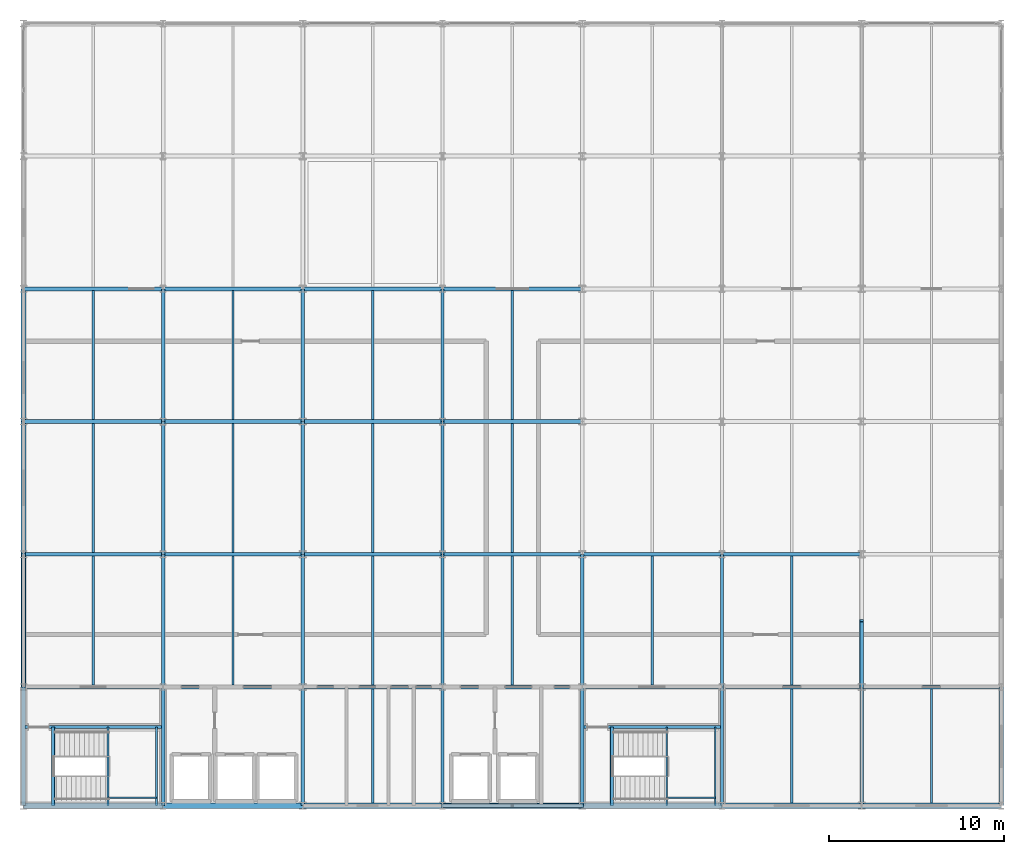
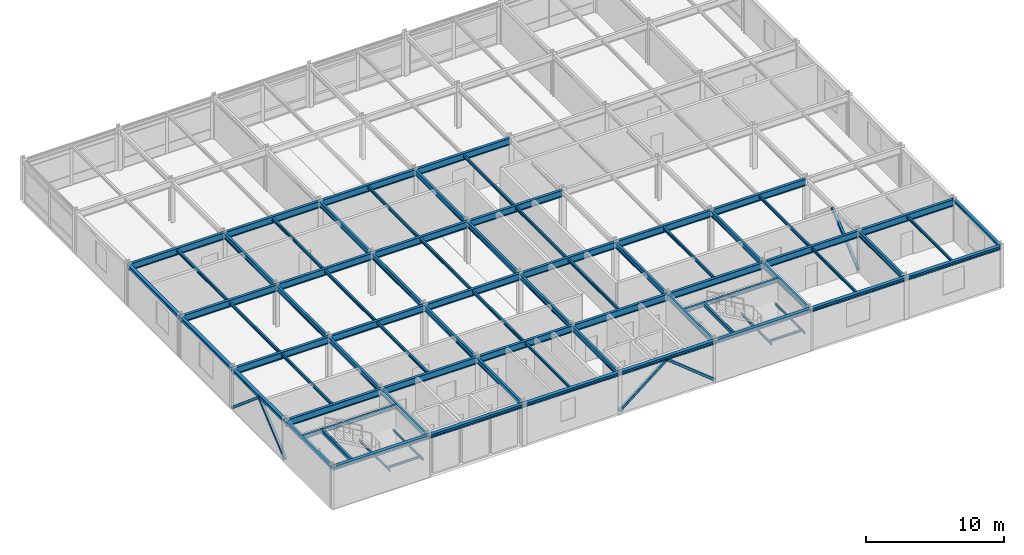
# One storey, part 4 of 14: 77 beams, 5 members.
"""IFC4 building model written with IfcOpenShell, lengths in metres."""

from ifc_helpers import new_model, si_unit, direction, frame, origin, origin_2d, place, context, subcontext, project, spatial, hollow_rectangle, i_section, extrude, material, material_profile, profile_set, type_object, element, save


model = new_model("IFC4")

# Units and contexts
model_context = context("Model", 3, precision=1e-05, world=origin(), true_north=direction((0.0, 1.0)))
body_context = subcontext(model_context, "Body", "Model", "MODEL_VIEW")
ifc_project = project(units=[si_unit("LENGTHUNIT", "METRE"), si_unit("AREAUNIT", "SQUARE_METRE"), si_unit("VOLUMEUNIT", "CUBIC_METRE"), si_unit("PLANEANGLEUNIT", "RADIAN"), si_unit("MASSUNIT", "GRAM", prefix="KILO")], contexts=[model_context])

# Site, building, storey
site_placement = place(None, origin())
site = spatial("IfcSite", under=ifc_project, at=site_placement, CompositionType="ELEMENT")
building_placement = place(site_placement, origin())
building = spatial("IfcBuilding", under=site, at=building_placement, Name="Shalkamar Park Central Library", CompositionType="ELEMENT")
storey_placement = place(building_placement, frame((0.0, 0.0, 28.199951171875)))
storey = spatial("IfcBuildingStorey", under=building, at=storey_placement, Name="L07", CompositionType="ELEMENT", Elevation=28.199951171875)

# Beams
ifc_material = material(Name="Steel S355", Category="steel")
ifc_material_profile_1 = material_profile(ifc_material, i_section(OverallWidth=0.10009765625, OverallDepth=0.199951171875, WebThickness=0.005615234375, FlangeThickness=0.008544921875, FilletRadius=0.011962890625, at=origin_2d()), Name="IPE 200")
ifc_profile_set_1 = profile_set([ifc_material_profile_1], Name="Steel S355")
beam_type_1 = type_object("IfcBeamType", Name="Composite Floor Joist IPE200", PredefinedType="JOIST", material=ifc_profile_set_1)
for number, where, z_axis, x_axis, name in (
    (1, (169.840087890625, 248.39990234375, 1.570068359375), (0.0, 1.0, 0.0), (-1.0, 0.0, 0.0), "Stair Half-Landing Beam ST-T1-L07-1"),
    (2, (172.6201171875, 248.39990234375, 1.570068359375), (0.0, 1.0, 0.0), (-1.0, 0.0, 0.0), "Stair Half-Landing Beam ST-T1-L07-2"),
):
    element("IfcBeam", number, at=place(storey_placement, frame(where, z_axis=z_axis, x_axis=x_axis)), inside=storey, type_object=beam_type_1, Name=name, PredefinedType="JOIST", context=body_context, shape_type="SweptSolid", body=[
        extrude(i_section(OverallWidth=0.10009765625, OverallDepth=0.199951171875, WebThickness=0.005615234375, FlangeThickness=0.008544921875, FilletRadius=0.011962890625, at=origin_2d()), origin(), (0.0, 0.0, 1.0), 4.5),
    ])
beam_1_placement = place(storey_placement, frame((169.840087890625, 248.85009765625, 1.570068359375), z_axis=(1.0, 0.0, 0.0), x_axis=(0.0, 1.0, 0.0)))
element("IfcBeam", 3, at=beam_1_placement, inside=storey, type_object=beam_type_1, Name="Stair Half-Landing Cross Tie ST-T1-L07-3", PredefinedType="JOIST", context=body_context, shape_type="SweptSolid", body=[
    extrude(i_section(OverallWidth=0.10009765625, OverallDepth=0.199951171875, WebThickness=0.005615234375, FlangeThickness=0.008544921875, FilletRadius=0.011962890625, at=origin_2d()), origin(), (0.0, 0.0, 1.0), 2.780029296875),
])
for number, where, z_axis, x_axis, name in (
    (4, (201.840087890625, 248.39990234375, 1.570068359375), (0.0, 1.0, 0.0), (-1.0, 0.0, 0.0), "Stair Half-Landing Beam ST-T2-L07-1"),
    (5, (204.6201171875, 248.39990234375, 1.570068359375), (0.0, 1.0, 0.0), (-1.0, 0.0, 0.0), "Stair Half-Landing Beam ST-T2-L07-2"),
):
    element("IfcBeam", number, at=place(storey_placement, frame(where, z_axis=z_axis, x_axis=x_axis)), inside=storey, type_object=beam_type_1, Name=name, PredefinedType="JOIST", context=body_context, shape_type="SweptSolid", body=[
        extrude(i_section(OverallWidth=0.10009765625, OverallDepth=0.199951171875, WebThickness=0.005615234375, FlangeThickness=0.008544921875, FilletRadius=0.011962890625, at=origin_2d()), origin(), (0.0, 0.0, 1.0), 4.5),
    ])
beam_2_placement = place(storey_placement, frame((201.840087890625, 248.85009765625, 1.570068359375), z_axis=(1.0, 0.0, 0.0), x_axis=(0.0, 1.0, 0.0)))
element("IfcBeam", 6, at=beam_2_placement, inside=storey, type_object=beam_type_1, Name="Stair Half-Landing Cross Tie ST-T2-L07-3", PredefinedType="JOIST", context=body_context, shape_type="SweptSolid", body=[
    extrude(i_section(OverallWidth=0.10009765625, OverallDepth=0.199951171875, WebThickness=0.005615234375, FlangeThickness=0.008544921875, FilletRadius=0.011962890625, at=origin_2d()), origin(), (0.0, 0.0, 1.0), 2.780029296875),
])
ifc_material_profile_2 = material_profile(ifc_material, i_section(OverallWidth=0.1201171875, OverallDepth=0.239990234375, WebThickness=0.006103515625, FlangeThickness=0.009765625, FilletRadius=0.014892578125, at=origin_2d()), Name="IPE 240")
ifc_profile_set_2 = profile_set([ifc_material_profile_2], Name="Steel S355")
beam_type_2 = type_object("IfcBeamType", Name="Composite Floor Joist IPE240", PredefinedType="JOIST", material=ifc_profile_set_2)
for number, where, z_axis, x_axis, name in (
    (7, (185.0, 248.548095703125, 3.5400390625), (0.0, 1.0, 0.0), (-1.0, 0.0, 0.0), "Composite Joist 09/B-1 (L07)"),
    (8, (209.0, 248.548095703125, 3.5400390625), (0.0, 1.0, 0.0), (-1.0, 0.0, 0.0), "Composite Joist 12/B-1 (L07)"),
    (9, (217.0, 248.548095703125, 3.5400390625), (0.0, 1.0, 0.0), (-1.0, 0.0, 0.0), "Composite Joist 13/B-1 (L07)"),
):
    element("IfcBeam", number, at=place(storey_placement, frame(where, z_axis=z_axis, x_axis=x_axis)), inside=storey, type_object=beam_type_2, Name=name, PredefinedType="JOIST", context=body_context, shape_type="SweptSolid", body=[
        extrude(i_section(OverallWidth=0.1201171875, OverallDepth=0.239990234375, WebThickness=0.006103515625, FlangeThickness=0.009765625, FilletRadius=0.014892578125, at=origin_2d()), origin(), (0.0, 0.0, 1.0), 6.5439453125),
    ])
ifc_material_profile_3 = material_profile(ifc_material, i_section(OverallWidth=0.135009765625, OverallDepth=0.27001953125, WebThickness=0.006591796875, FlangeThickness=0.01025390625, FilletRadius=0.014892578125, at=origin_2d()), Name="IPE 270")
ifc_profile_set_3 = profile_set([ifc_material_profile_3], Name="Steel S355")
beam_type_3 = type_object("IfcBeamType", Name="Composite Floor Joist IPE270", PredefinedType="JOIST", material=ifc_profile_set_3)
beam_3_placement = place(storey_placement, frame((169.0, 255.30810546875, 3.525146484375), z_axis=(0.0, 1.0, 0.0), x_axis=(-1.0, 0.0, 0.0)))
element("IfcBeam", 10, at=beam_3_placement, inside=storey, type_object=beam_type_3, Name="Composite Joist 07/C-1 (L07)", PredefinedType="JOIST", context=body_context, shape_type="SweptSolid", body=[
    extrude(i_section(OverallWidth=0.135009765625, OverallDepth=0.27001953125, WebThickness=0.006591796875, FlangeThickness=0.01025390625, FilletRadius=0.014892578125, at=origin_2d()), origin(), (0.0, 0.0, 1.0), 7.3837890625),
])
for number, where, z_axis, x_axis, name in (
    (11, (169.0, 262.907958984375, 3.525146484375), (0.0, 1.0, 0.0), (-1.0, 0.0, 0.0), "Composite Joist 07/D-1 (L07)"),
    (12, (169.0, 270.508056640625, 3.525146484375), (0.0, 1.0, 0.0), (-1.0, 0.0, 0.0), "Composite Joist 07/E-1 (L07)"),
):
    element("IfcBeam", number, at=place(storey_placement, frame(where, z_axis=z_axis, x_axis=x_axis)), inside=storey, type_object=beam_type_3, Name=name, PredefinedType="JOIST", context=body_context, shape_type="SweptSolid", body=[
        extrude(i_section(OverallWidth=0.135009765625, OverallDepth=0.27001953125, WebThickness=0.006591796875, FlangeThickness=0.01025390625, FilletRadius=0.014892578125, at=origin_2d()), origin(), (0.0, 0.0, 1.0), 7.384033203125),
    ])
beam_4_placement = place(storey_placement, frame((177.0, 255.30810546875, 3.525146484375), z_axis=(0.0, 1.0, 0.0), x_axis=(-1.0, 0.0, 0.0)))
element("IfcBeam", 13, at=beam_4_placement, inside=storey, type_object=beam_type_3, Name="Composite Joist 08/C-1 (L07)", PredefinedType="JOIST", context=body_context, shape_type="SweptSolid", body=[
    extrude(i_section(OverallWidth=0.135009765625, OverallDepth=0.27001953125, WebThickness=0.006591796875, FlangeThickness=0.01025390625, FilletRadius=0.014892578125, at=origin_2d()), origin(), (0.0, 0.0, 1.0), 7.3837890625),
])
for number, where, z_axis, x_axis, name in (
    (14, (177.0, 262.907958984375, 3.525146484375), (0.0, 1.0, 0.0), (-1.0, 0.0, 0.0), "Composite Joist 08/D-1 (L07)"),
    (15, (177.0, 270.508056640625, 3.525146484375), (0.0, 1.0, 0.0), (-1.0, 0.0, 0.0), "Composite Joist 08/E-1 (L07)"),
):
    element("IfcBeam", number, at=place(storey_placement, frame(where, z_axis=z_axis, x_axis=x_axis)), inside=storey, type_object=beam_type_3, Name=name, PredefinedType="JOIST", context=body_context, shape_type="SweptSolid", body=[
        extrude(i_section(OverallWidth=0.135009765625, OverallDepth=0.27001953125, WebThickness=0.006591796875, FlangeThickness=0.01025390625, FilletRadius=0.014892578125, at=origin_2d()), origin(), (0.0, 0.0, 1.0), 7.384033203125),
    ])
beam_5_placement = place(storey_placement, frame((185.0, 255.30810546875, 3.525146484375), z_axis=(0.0, 1.0, 0.0), x_axis=(-1.0, 0.0, 0.0)))
element("IfcBeam", 16, at=beam_5_placement, inside=storey, type_object=beam_type_3, Name="Composite Joist 09/C-1 (L07)", PredefinedType="JOIST", context=body_context, shape_type="SweptSolid", body=[
    extrude(i_section(OverallWidth=0.135009765625, OverallDepth=0.27001953125, WebThickness=0.006591796875, FlangeThickness=0.01025390625, FilletRadius=0.014892578125, at=origin_2d()), origin(), (0.0, 0.0, 1.0), 7.3837890625),
])
for number, where, z_axis, x_axis, name in (
    (17, (185.0, 262.907958984375, 3.525146484375), (0.0, 1.0, 0.0), (-1.0, 0.0, 0.0), "Composite Joist 09/D-1 (L07)"),
    (18, (185.0, 270.508056640625, 3.525146484375), (0.0, 1.0, 0.0), (-1.0, 0.0, 0.0), "Composite Joist 09/E-1 (L07)"),
):
    element("IfcBeam", number, at=place(storey_placement, frame(where, z_axis=z_axis, x_axis=x_axis)), inside=storey, type_object=beam_type_3, Name=name, PredefinedType="JOIST", context=body_context, shape_type="SweptSolid", body=[
        extrude(i_section(OverallWidth=0.135009765625, OverallDepth=0.27001953125, WebThickness=0.006591796875, FlangeThickness=0.01025390625, FilletRadius=0.014892578125, at=origin_2d()), origin(), (0.0, 0.0, 1.0), 7.384033203125),
    ])
beam_6_placement = place(storey_placement, frame((193.0, 255.30810546875, 3.525146484375), z_axis=(0.0, 1.0, 0.0), x_axis=(-1.0, 0.0, 0.0)))
element("IfcBeam", 19, at=beam_6_placement, inside=storey, type_object=beam_type_3, Name="Composite Joist 10/C-1 (L07)", PredefinedType="JOIST", context=body_context, shape_type="SweptSolid", body=[
    extrude(i_section(OverallWidth=0.135009765625, OverallDepth=0.27001953125, WebThickness=0.006591796875, FlangeThickness=0.01025390625, FilletRadius=0.014892578125, at=origin_2d()), origin(), (0.0, 0.0, 1.0), 7.3837890625),
])
for number, where, z_axis, x_axis, name in (
    (20, (193.0, 262.907958984375, 3.525146484375), (0.0, 1.0, 0.0), (-1.0, 0.0, 0.0), "Composite Joist 10/D-1 (L07)"),
    (21, (193.0, 270.508056640625, 3.525146484375), (0.0, 1.0, 0.0), (-1.0, 0.0, 0.0), "Composite Joist 10/E-1 (L07)"),
):
    element("IfcBeam", number, at=place(storey_placement, frame(where, z_axis=z_axis, x_axis=x_axis)), inside=storey, type_object=beam_type_3, Name=name, PredefinedType="JOIST", context=body_context, shape_type="SweptSolid", body=[
        extrude(i_section(OverallWidth=0.135009765625, OverallDepth=0.27001953125, WebThickness=0.006591796875, FlangeThickness=0.01025390625, FilletRadius=0.014892578125, at=origin_2d()), origin(), (0.0, 0.0, 1.0), 7.384033203125),
    ])
for number, where, z_axis, x_axis, name in (
    (22, (201.0, 255.30810546875, 3.525146484375), (0.0, 1.0, 0.0), (-1.0, 0.0, 0.0), "Composite Joist 11/C-1 (L07)"),
    (23, (209.0, 255.30810546875, 3.525146484375), (0.0, 1.0, 0.0), (-1.0, 0.0, 0.0), "Composite Joist 12/C-1 (L07)"),
):
    element("IfcBeam", number, at=place(storey_placement, frame(where, z_axis=z_axis, x_axis=x_axis)), inside=storey, type_object=beam_type_3, Name=name, PredefinedType="JOIST", context=body_context, shape_type="SweptSolid", body=[
        extrude(i_section(OverallWidth=0.135009765625, OverallDepth=0.27001953125, WebThickness=0.006591796875, FlangeThickness=0.01025390625, FilletRadius=0.014892578125, at=origin_2d()), origin(), (0.0, 0.0, 1.0), 7.3837890625),
    ])

# Members
ifc_material_profile_4 = material_profile(ifc_material, hollow_rectangle(XDim=0.219970703125, YDim=0.219970703125, WallThickness=0.010009765625, InnerFilletRadius=0.010009765625, OuterFilletRadius=0.014892578125, at=origin_2d()), Name="SHS 220x220x10")
ifc_profile_set_4 = profile_set([ifc_material_profile_4], Name="Steel S355")
member_type = type_object("IfcMemberType", Name="Diagonal Brace SHS220", PredefinedType="BRACE", material=ifc_profile_set_4)
for number, where, z_axis, x_axis, name in (
    (24, (165.0, 255.199951171875, 0.150146484375), (0.0, 0.763927756814, 0.645301776202), (-1.0, 0.0, 0.0), "Chevron Brace TW-W Leg A (L07)"),
    (25, (165.0, 262.800048828125, 0.150146484375), (0.0, -0.763927756814, 0.645301776202), (1.0, 0.0, 0.0), "Chevron Brace TW-W Leg B (L07)"),
    (26, (213.0, 255.199951171875, 0.150146484375), (0.0, 0.763927756814, 0.645301776202), (-1.0, 0.0, 0.0), "Chevron Brace TW-E Leg A (L07)"),
):
    element("IfcMember", number, at=place(storey_placement, frame(where, z_axis=z_axis, x_axis=x_axis)), inside=storey, type_object=member_type, Name=name, PredefinedType="BRACE", context=body_context, shape_type="SweptSolid", body=[
        extrude(hollow_rectangle(XDim=0.219970703125, YDim=0.219970703125, WallThickness=0.010009765625, InnerFilletRadius=0.010009765625, OuterFilletRadius=0.014892578125, at=origin_2d()), origin(), (0.0, 0.0, 1.0), 4.974365234375),
    ])
for number, where, z_axis, x_axis, name in (
    (27, (189.0, 248.39990234375, 0.150146484375), (0.77992050418, 0.0, 0.625878588194), (0.0, 1.0, 0.0), "Chevron Brace TW-S Leg A (L07)"),
    (28, (197.0, 248.39990234375, 0.150146484375), (-0.77992050418, 0.0, 0.625878588194), (0.0, -1.0, 0.0), "Chevron Brace TW-S Leg B (L07)"),
):
    element("IfcMember", number, at=place(storey_placement, frame(where, z_axis=z_axis, x_axis=x_axis)), inside=storey, type_object=member_type, Name=name, PredefinedType="BRACE", context=body_context, shape_type="SweptSolid", body=[
        extrude(hollow_rectangle(XDim=0.219970703125, YDim=0.219970703125, WallThickness=0.010009765625, InnerFilletRadius=0.010009765625, OuterFilletRadius=0.014892578125, at=origin_2d()), origin(), (0.0, 0.0, 1.0), 5.128662109375),
    ])

# Beams
ifc_material_profile_5 = material_profile(ifc_material, i_section(OverallWidth=0.239990234375, OverallDepth=0.22998046875, WebThickness=0.007568359375, FlangeThickness=0.011962890625, FilletRadius=0.02099609375, at=origin_2d()), Name="HEA 240")
ifc_profile_set_5 = profile_set([ifc_material_profile_5], Name="Steel S355")
beam_type_4 = type_object("IfcBeamType", Name="Perimeter Spandrel Beam HEA240", PredefinedType="SPANDREL", material=ifc_profile_set_5)
for number, where, z_axis, x_axis, name in (
    (29, (165.0, 248.39990234375, 3.545166015625), (0.0, 1.0, 0.0), (-1.0, 0.0, 0.0), "Beam 07:B-C (L07)"),
    (30, (221.0, 248.39990234375, 3.545166015625), (0.0, 1.0, 0.0), (-1.0, 0.0, 0.0), "Beam 14:B-C (L07)"),
):
    element("IfcBeam", number, at=place(storey_placement, frame(where, z_axis=z_axis, x_axis=x_axis)), inside=storey, type_object=beam_type_4, Name=name, PredefinedType="SPANDREL", context=body_context, shape_type="SweptSolid", body=[
        extrude(i_section(OverallWidth=0.239990234375, OverallDepth=0.22998046875, WebThickness=0.007568359375, FlangeThickness=0.011962890625, FilletRadius=0.02099609375, at=origin_2d()), origin(), (0.0, 0.0, 1.0), 6.800048828125),
    ])
ifc_material_profile_6 = material_profile(ifc_material, i_section(OverallWidth=0.280029296875, OverallDepth=0.27001953125, WebThickness=0.008056640625, FlangeThickness=0.012939453125, FilletRadius=0.02392578125, at=origin_2d()), Name="HEA 280")
ifc_profile_set_6 = profile_set([ifc_material_profile_6], Name="Steel S355")
beam_type_5 = type_object("IfcBeamType", Name="Perimeter Spandrel Beam HEA280", PredefinedType="SPANDREL", material=ifc_profile_set_6)
beam_7_placement = place(storey_placement, frame((165.0, 255.199951171875, 3.525146484375), z_axis=(0.0, 1.0, 0.0), x_axis=(-1.0, 0.0, 0.0)))
element("IfcBeam", 31, at=beam_7_placement, inside=storey, type_object=beam_type_5, Name="Beam 07:C-D (L07)", PredefinedType="SPANDREL", context=body_context, shape_type="SweptSolid", body=[
    extrude(i_section(OverallWidth=0.280029296875, OverallDepth=0.27001953125, WebThickness=0.008056640625, FlangeThickness=0.012939453125, FilletRadius=0.02392578125, at=origin_2d()), origin(), (0.0, 0.0, 1.0), 7.60009765625),
])
beam_8_placement = place(storey_placement, frame((165.0, 262.800048828125, 3.525146484375), z_axis=(0.0, 1.0, 0.0), x_axis=(-1.0, 0.0, 0.0)))
element("IfcBeam", 32, at=beam_8_placement, inside=storey, type_object=beam_type_5, Name="Beam 07:D-E (L07)", PredefinedType="SPANDREL", context=body_context, shape_type="SweptSolid", body=[
    extrude(i_section(OverallWidth=0.280029296875, OverallDepth=0.27001953125, WebThickness=0.008056640625, FlangeThickness=0.012939453125, FilletRadius=0.02392578125, at=origin_2d()), origin(), (0.0, 0.0, 1.0), 7.599853515625),
])
beam_9_placement = place(storey_placement, frame((165.0, 270.39990234375, 3.525146484375), z_axis=(0.0, 1.0, 0.0), x_axis=(-1.0, 0.0, 0.0)))
element("IfcBeam", 33, at=beam_9_placement, inside=storey, type_object=beam_type_5, Name="Beam 07:E-F (L07)", PredefinedType="SPANDREL", context=body_context, shape_type="SweptSolid", body=[
    extrude(i_section(OverallWidth=0.280029296875, OverallDepth=0.27001953125, WebThickness=0.008056640625, FlangeThickness=0.012939453125, FilletRadius=0.02392578125, at=origin_2d()), origin(), (0.0, 0.0, 1.0), 7.60009765625),
])
ifc_material_profile_7 = material_profile(ifc_material, i_section(OverallWidth=0.300048828125, OverallDepth=0.31005859375, WebThickness=0.009033203125, FlangeThickness=0.015380859375, FilletRadius=0.027099609375, at=origin_2d()), Name="HEA 320")
ifc_profile_set_7 = profile_set([ifc_material_profile_7], Name="Steel S355")
beam_type_6 = type_object("IfcBeamType", Name="Perimeter Spandrel Beam HEA320", PredefinedType="SPANDREL", material=ifc_profile_set_7)
for number, where, z_axis, x_axis, name in (
    (34, (165.0, 248.39990234375, 3.505126953125), (1.0, 0.0, 0.0), (0.0, 1.0, 0.0), "Beam B:07-08 (L07)"),
    (35, (173.0, 248.39990234375, 3.505126953125), (1.0, 0.0, 0.0), (0.0, 1.0, 0.0), "Beam B:08-09 (L07)"),
    (36, (181.0, 248.39990234375, 3.505126953125), (1.0, 0.0, 0.0), (0.0, 1.0, 0.0), "Beam B:09-10 (L07)"),
    (37, (189.0, 248.39990234375, 3.505126953125), (1.0, 0.0, 0.0), (0.0, 1.0, 0.0), "Beam B:10-11 (L07)"),
    (38, (197.0, 248.39990234375, 3.505126953125), (1.0, 0.0, 0.0), (0.0, 1.0, 0.0), "Beam B:11-12 (L07)"),
    (39, (205.0, 248.39990234375, 3.505126953125), (1.0, 0.0, 0.0), (0.0, 1.0, 0.0), "Beam B:12-13 (L07)"),
    (40, (213.0, 248.39990234375, 3.505126953125), (1.0, 0.0, 0.0), (0.0, 1.0, 0.0), "Beam B:13-14 (L07)"),
):
    element("IfcBeam", number, at=place(storey_placement, frame(where, z_axis=z_axis, x_axis=x_axis)), inside=storey, type_object=beam_type_6, Name=name, PredefinedType="SPANDREL", context=body_context, shape_type="SweptSolid", body=[
        extrude(i_section(OverallWidth=0.300048828125, OverallDepth=0.31005859375, WebThickness=0.009033203125, FlangeThickness=0.015380859375, FilletRadius=0.027099609375, at=origin_2d()), origin(), (0.0, 0.0, 1.0), 8.0),
    ])
ifc_material_profile_8 = material_profile(ifc_material, i_section(OverallWidth=0.169921875, OverallDepth=0.360107421875, WebThickness=0.008056640625, FlangeThickness=0.0126953125, FilletRadius=0.01806640625, at=origin_2d()), Name="IPE 360")
ifc_profile_set_8 = profile_set([ifc_material_profile_8], Name="Steel S355")
beam_type_7 = type_object("IfcBeamType", Name="Primary Girder IPE360", PredefinedType="BEAM", material=ifc_profile_set_8)
for number, where, z_axis, x_axis, name in (
    (41, (165.087890625, 252.89990234375, 3.47998046875), (1.0, 0.0, 0.0), (0.0, 1.0, 0.0), "CORE-T1 Stairwell Divider Beam (L07)"),
    (42, (197.087890625, 252.89990234375, 3.47998046875), (1.0, 0.0, 0.0), (0.0, 1.0, 0.0), "CORE-T2 Stairwell Divider Beam (L07)"),
):
    element("IfcBeam", number, at=place(storey_placement, frame(where, z_axis=z_axis, x_axis=x_axis)), inside=storey, type_object=beam_type_7, Name=name, PredefinedType="BEAM", context=body_context, shape_type="SweptSolid", body=[
        extrude(i_section(OverallWidth=0.169921875, OverallDepth=0.360107421875, WebThickness=0.008056640625, FlangeThickness=0.0126953125, FilletRadius=0.01806640625, at=origin_2d()), origin(), (0.0, 0.0, 1.0), 7.82421875),
    ])
ifc_material_profile_9 = material_profile(ifc_material, i_section(OverallWidth=0.18994140625, OverallDepth=0.449951171875, WebThickness=0.009521484375, FlangeThickness=0.0146484375, FilletRadius=0.02099609375, at=origin_2d()), Name="IPE 450")
ifc_profile_set_9 = profile_set([ifc_material_profile_9], Name="Steel S355")
beam_type_8 = type_object("IfcBeamType", Name="Primary Girder IPE450", PredefinedType="BEAM", material=ifc_profile_set_9)
beam_10_placement = place(storey_placement, frame((173.0, 248.39990234375, 3.43505859375), z_axis=(0.0, 1.0, 0.0), x_axis=(-1.0, 0.0, 0.0)))
element("IfcBeam", 43, at=beam_10_placement, inside=storey, type_object=beam_type_8, Name="Beam 08:B-C (L07)", PredefinedType="BEAM", context=body_context, shape_type="SweptSolid", body=[
    extrude(i_section(OverallWidth=0.18994140625, OverallDepth=0.449951171875, WebThickness=0.009521484375, FlangeThickness=0.0146484375, FilletRadius=0.02099609375, at=origin_2d()), origin(), (0.0, 0.0, 1.0), 6.800048828125),
])
beam_11_placement = place(storey_placement, frame((173.0, 255.199951171875, 3.43505859375), z_axis=(0.0, 1.0, 0.0), x_axis=(-1.0, 0.0, 0.0)))
element("IfcBeam", 44, at=beam_11_placement, inside=storey, type_object=beam_type_8, Name="Beam 08:C-D (L07)", PredefinedType="BEAM", context=body_context, shape_type="SweptSolid", body=[
    extrude(i_section(OverallWidth=0.18994140625, OverallDepth=0.449951171875, WebThickness=0.009521484375, FlangeThickness=0.0146484375, FilletRadius=0.02099609375, at=origin_2d()), origin(), (0.0, 0.0, 1.0), 7.60009765625),
])
beam_12_placement = place(storey_placement, frame((173.0, 262.800048828125, 3.43505859375), z_axis=(0.0, 1.0, 0.0), x_axis=(-1.0, 0.0, 0.0)))
element("IfcBeam", 45, at=beam_12_placement, inside=storey, type_object=beam_type_8, Name="Beam 08:D-E (L07)", PredefinedType="BEAM", context=body_context, shape_type="SweptSolid", body=[
    extrude(i_section(OverallWidth=0.18994140625, OverallDepth=0.449951171875, WebThickness=0.009521484375, FlangeThickness=0.0146484375, FilletRadius=0.02099609375, at=origin_2d()), origin(), (0.0, 0.0, 1.0), 7.599853515625),
])
beam_13_placement = place(storey_placement, frame((173.0, 270.39990234375, 3.43505859375), z_axis=(0.0, 1.0, 0.0), x_axis=(-1.0, 0.0, 0.0)))
element("IfcBeam", 46, at=beam_13_placement, inside=storey, type_object=beam_type_8, Name="Beam 08:E-F (L07)", PredefinedType="BEAM", context=body_context, shape_type="SweptSolid", body=[
    extrude(i_section(OverallWidth=0.18994140625, OverallDepth=0.449951171875, WebThickness=0.009521484375, FlangeThickness=0.0146484375, FilletRadius=0.02099609375, at=origin_2d()), origin(), (0.0, 0.0, 1.0), 7.60009765625),
])
beam_14_placement = place(storey_placement, frame((181.0, 248.39990234375, 3.43505859375), z_axis=(0.0, 1.0, 0.0), x_axis=(-1.0, 0.0, 0.0)))
element("IfcBeam", 47, at=beam_14_placement, inside=storey, type_object=beam_type_8, Name="Beam 09:B-C (L07)", PredefinedType="BEAM", context=body_context, shape_type="SweptSolid", body=[
    extrude(i_section(OverallWidth=0.18994140625, OverallDepth=0.449951171875, WebThickness=0.009521484375, FlangeThickness=0.0146484375, FilletRadius=0.02099609375, at=origin_2d()), origin(), (0.0, 0.0, 1.0), 6.800048828125),
])
beam_15_placement = place(storey_placement, frame((181.0, 255.199951171875, 3.43505859375), z_axis=(0.0, 1.0, 0.0), x_axis=(-1.0, 0.0, 0.0)))
element("IfcBeam", 48, at=beam_15_placement, inside=storey, type_object=beam_type_8, Name="Beam 09:C-D (L07)", PredefinedType="BEAM", context=body_context, shape_type="SweptSolid", body=[
    extrude(i_section(OverallWidth=0.18994140625, OverallDepth=0.449951171875, WebThickness=0.009521484375, FlangeThickness=0.0146484375, FilletRadius=0.02099609375, at=origin_2d()), origin(), (0.0, 0.0, 1.0), 7.60009765625),
])
beam_16_placement = place(storey_placement, frame((181.0, 262.800048828125, 3.43505859375), z_axis=(0.0, 1.0, 0.0), x_axis=(-1.0, 0.0, 0.0)))
element("IfcBeam", 49, at=beam_16_placement, inside=storey, type_object=beam_type_8, Name="Beam 09:D-E (L07)", PredefinedType="BEAM", context=body_context, shape_type="SweptSolid", body=[
    extrude(i_section(OverallWidth=0.18994140625, OverallDepth=0.449951171875, WebThickness=0.009521484375, FlangeThickness=0.0146484375, FilletRadius=0.02099609375, at=origin_2d()), origin(), (0.0, 0.0, 1.0), 7.599853515625),
])
beam_17_placement = place(storey_placement, frame((181.0, 270.39990234375, 3.43505859375), z_axis=(0.0, 1.0, 0.0), x_axis=(-1.0, 0.0, 0.0)))
element("IfcBeam", 50, at=beam_17_placement, inside=storey, type_object=beam_type_8, Name="Beam 09:E-F (L07)", PredefinedType="BEAM", context=body_context, shape_type="SweptSolid", body=[
    extrude(i_section(OverallWidth=0.18994140625, OverallDepth=0.449951171875, WebThickness=0.009521484375, FlangeThickness=0.0146484375, FilletRadius=0.02099609375, at=origin_2d()), origin(), (0.0, 0.0, 1.0), 7.60009765625),
])
beam_18_placement = place(storey_placement, frame((189.0, 248.39990234375, 3.43505859375), z_axis=(0.0, 1.0, 0.0), x_axis=(-1.0, 0.0, 0.0)))
element("IfcBeam", 51, at=beam_18_placement, inside=storey, type_object=beam_type_8, Name="Beam 10:B-C (L07)", PredefinedType="BEAM", context=body_context, shape_type="SweptSolid", body=[
    extrude(i_section(OverallWidth=0.18994140625, OverallDepth=0.449951171875, WebThickness=0.009521484375, FlangeThickness=0.0146484375, FilletRadius=0.02099609375, at=origin_2d()), origin(), (0.0, 0.0, 1.0), 6.800048828125),
])
beam_19_placement = place(storey_placement, frame((189.0, 255.199951171875, 3.43505859375), z_axis=(0.0, 1.0, 0.0), x_axis=(-1.0, 0.0, 0.0)))
element("IfcBeam", 52, at=beam_19_placement, inside=storey, type_object=beam_type_8, Name="Beam 10:C-D (L07)", PredefinedType="BEAM", context=body_context, shape_type="SweptSolid", body=[
    extrude(i_section(OverallWidth=0.18994140625, OverallDepth=0.449951171875, WebThickness=0.009521484375, FlangeThickness=0.0146484375, FilletRadius=0.02099609375, at=origin_2d()), origin(), (0.0, 0.0, 1.0), 7.60009765625),
])
beam_20_placement = place(storey_placement, frame((189.0, 262.800048828125, 3.43505859375), z_axis=(0.0, 1.0, 0.0), x_axis=(-1.0, 0.0, 0.0)))
element("IfcBeam", 53, at=beam_20_placement, inside=storey, type_object=beam_type_8, Name="Beam 10:D-E (L07)", PredefinedType="BEAM", context=body_context, shape_type="SweptSolid", body=[
    extrude(i_section(OverallWidth=0.18994140625, OverallDepth=0.449951171875, WebThickness=0.009521484375, FlangeThickness=0.0146484375, FilletRadius=0.02099609375, at=origin_2d()), origin(), (0.0, 0.0, 1.0), 7.599853515625),
])
beam_21_placement = place(storey_placement, frame((189.0, 270.39990234375, 3.43505859375), z_axis=(0.0, 1.0, 0.0), x_axis=(-1.0, 0.0, 0.0)))
element("IfcBeam", 54, at=beam_21_placement, inside=storey, type_object=beam_type_8, Name="Beam 10:E-F (L07)", PredefinedType="BEAM", context=body_context, shape_type="SweptSolid", body=[
    extrude(i_section(OverallWidth=0.18994140625, OverallDepth=0.449951171875, WebThickness=0.009521484375, FlangeThickness=0.0146484375, FilletRadius=0.02099609375, at=origin_2d()), origin(), (0.0, 0.0, 1.0), 7.60009765625),
])
beam_22_placement = place(storey_placement, frame((197.0, 248.39990234375, 3.43505859375), z_axis=(0.0, 1.0, 0.0), x_axis=(-1.0, 0.0, 0.0)))
element("IfcBeam", 55, at=beam_22_placement, inside=storey, type_object=beam_type_8, Name="Beam 11:B-C (L07)", PredefinedType="BEAM", context=body_context, shape_type="SweptSolid", body=[
    extrude(i_section(OverallWidth=0.18994140625, OverallDepth=0.449951171875, WebThickness=0.009521484375, FlangeThickness=0.0146484375, FilletRadius=0.02099609375, at=origin_2d()), origin(), (0.0, 0.0, 1.0), 6.800048828125),
])
beam_23_placement = place(storey_placement, frame((197.0, 255.199951171875, 3.43505859375), z_axis=(0.0, 1.0, 0.0), x_axis=(-1.0, 0.0, 0.0)))
element("IfcBeam", 56, at=beam_23_placement, inside=storey, type_object=beam_type_8, Name="Beam 11:C-D (L07)", PredefinedType="BEAM", context=body_context, shape_type="SweptSolid", body=[
    extrude(i_section(OverallWidth=0.18994140625, OverallDepth=0.449951171875, WebThickness=0.009521484375, FlangeThickness=0.0146484375, FilletRadius=0.02099609375, at=origin_2d()), origin(), (0.0, 0.0, 1.0), 7.60009765625),
])
beam_24_placement = place(storey_placement, frame((205.0, 248.39990234375, 3.43505859375), z_axis=(0.0, 1.0, 0.0), x_axis=(-1.0, 0.0, 0.0)))
element("IfcBeam", 57, at=beam_24_placement, inside=storey, type_object=beam_type_8, Name="Beam 12:B-C (L07)", PredefinedType="BEAM", context=body_context, shape_type="SweptSolid", body=[
    extrude(i_section(OverallWidth=0.18994140625, OverallDepth=0.449951171875, WebThickness=0.009521484375, FlangeThickness=0.0146484375, FilletRadius=0.02099609375, at=origin_2d()), origin(), (0.0, 0.0, 1.0), 6.800048828125),
])
beam_25_placement = place(storey_placement, frame((205.0, 255.199951171875, 3.43505859375), z_axis=(0.0, 1.0, 0.0), x_axis=(-1.0, 0.0, 0.0)))
element("IfcBeam", 58, at=beam_25_placement, inside=storey, type_object=beam_type_8, Name="Beam 12:C-D (L07)", PredefinedType="BEAM", context=body_context, shape_type="SweptSolid", body=[
    extrude(i_section(OverallWidth=0.18994140625, OverallDepth=0.449951171875, WebThickness=0.009521484375, FlangeThickness=0.0146484375, FilletRadius=0.02099609375, at=origin_2d()), origin(), (0.0, 0.0, 1.0), 7.60009765625),
])
beam_26_placement = place(storey_placement, frame((213.0, 248.39990234375, 3.43505859375), z_axis=(0.0, 1.0, 0.0), x_axis=(-1.0, 0.0, 0.0)))
element("IfcBeam", 59, at=beam_26_placement, inside=storey, type_object=beam_type_8, Name="Beam 13:B-C (L07)", PredefinedType="BEAM", context=body_context, shape_type="SweptSolid", body=[
    extrude(i_section(OverallWidth=0.18994140625, OverallDepth=0.449951171875, WebThickness=0.009521484375, FlangeThickness=0.0146484375, FilletRadius=0.02099609375, at=origin_2d()), origin(), (0.0, 0.0, 1.0), 6.800048828125),
])
ifc_material_profile_10 = material_profile(ifc_material, i_section(OverallWidth=0.219970703125, OverallDepth=0.60009765625, WebThickness=0.011962890625, FlangeThickness=0.01904296875, FilletRadius=0.02392578125, at=origin_2d()), Name="IPE 600")
ifc_profile_set_10 = profile_set([ifc_material_profile_10], Name="Steel S355")
beam_type_9 = type_object("IfcBeamType", Name="Primary Girder IPE600", PredefinedType="BEAM", material=ifc_profile_set_10)
for number, where, z_axis, x_axis, name in (
    (60, (165.0, 255.199951171875, 3.360107421875), (1.0, 0.0, 0.0), (0.0, 1.0, 0.0), "Beam C:07-08 (L07)"),
    (61, (173.0, 255.199951171875, 3.360107421875), (1.0, 0.0, 0.0), (0.0, 1.0, 0.0), "Beam C:08-09 (L07)"),
    (62, (181.0, 255.199951171875, 3.360107421875), (1.0, 0.0, 0.0), (0.0, 1.0, 0.0), "Beam C:09-10 (L07)"),
    (63, (189.0, 255.199951171875, 3.360107421875), (1.0, 0.0, 0.0), (0.0, 1.0, 0.0), "Beam C:10-11 (L07)"),
    (64, (197.0, 255.199951171875, 3.360107421875), (1.0, 0.0, 0.0), (0.0, 1.0, 0.0), "Beam C:11-12 (L07)"),
    (65, (205.0, 255.199951171875, 3.360107421875), (1.0, 0.0, 0.0), (0.0, 1.0, 0.0), "Beam C:12-13 (L07)"),
    (66, (213.0, 255.199951171875, 3.360107421875), (1.0, 0.0, 0.0), (0.0, 1.0, 0.0), "Beam C:13-14 (L07)"),
    (67, (165.0, 262.800048828125, 3.360107421875), (1.0, 0.0, 0.0), (0.0, 1.0, 0.0), "Beam D:07-08 (L07)"),
    (68, (173.0, 262.800048828125, 3.360107421875), (1.0, 0.0, 0.0), (0.0, 1.0, 0.0), "Beam D:08-09 (L07)"),
    (69, (181.0, 262.800048828125, 3.360107421875), (1.0, 0.0, 0.0), (0.0, 1.0, 0.0), "Beam D:09-10 (L07)"),
    (70, (189.0, 262.800048828125, 3.360107421875), (1.0, 0.0, 0.0), (0.0, 1.0, 0.0), "Beam D:10-11 (L07)"),
    (71, (197.0, 262.800048828125, 3.360107421875), (1.0, 0.0, 0.0), (0.0, 1.0, 0.0), "Beam D:11-12 (L07)"),
    (72, (205.0, 262.800048828125, 3.360107421875), (1.0, 0.0, 0.0), (0.0, 1.0, 0.0), "Beam D:12-13 (L07)"),
    (73, (165.0, 270.39990234375, 3.360107421875), (1.0, 0.0, 0.0), (0.0, 1.0, 0.0), "Beam E:07-08 (L07)"),
    (74, (173.0, 270.39990234375, 3.360107421875), (1.0, 0.0, 0.0), (0.0, 1.0, 0.0), "Beam E:08-09 (L07)"),
    (75, (181.0, 270.39990234375, 3.360107421875), (1.0, 0.0, 0.0), (0.0, 1.0, 0.0), "Beam E:09-10 (L07)"),
    (76, (189.0, 270.39990234375, 3.360107421875), (1.0, 0.0, 0.0), (0.0, 1.0, 0.0), "Beam E:10-11 (L07)"),
    (77, (165.0, 278.0, 3.360107421875), (1.0, 0.0, 0.0), (0.0, 1.0, 0.0), "Beam F:07-08 (L07)"),
    (78, (173.0, 278.0, 3.360107421875), (1.0, 0.0, 0.0), (0.0, 1.0, 0.0), "Beam F:08-09 (L07)"),
    (79, (181.0, 278.0, 3.360107421875), (1.0, 0.0, 0.0), (0.0, 1.0, 0.0), "Beam F:09-10 (L07)"),
    (80, (189.0, 278.0, 3.360107421875), (1.0, 0.0, 0.0), (0.0, 1.0, 0.0), "Beam F:10-11 (L07)"),
):
    element("IfcBeam", number, at=place(storey_placement, frame(where, z_axis=z_axis, x_axis=x_axis)), inside=storey, type_object=beam_type_9, Name=name, PredefinedType="BEAM", context=body_context, shape_type="SweptSolid", body=[
        extrude(i_section(OverallWidth=0.219970703125, OverallDepth=0.60009765625, WebThickness=0.011962890625, FlangeThickness=0.01904296875, FilletRadius=0.02392578125, at=origin_2d()), origin(), (0.0, 0.0, 1.0), 8.0),
    ])
ifc_material_profile_11 = material_profile(ifc_material, hollow_rectangle(XDim=0.199951171875, YDim=0.300048828125, WallThickness=0.011962890625, InnerFilletRadius=0.011962890625, OuterFilletRadius=0.01806640625, at=origin_2d()), Name="RHS 300x200x12")
ifc_profile_set_11 = profile_set([ifc_material_profile_11], Name="Steel S355")
beam_type_10 = type_object("IfcBeamType", Name="Stair Trimmer Box RHS300x200", PredefinedType="BEAM", material=ifc_profile_set_11)
for number, where, z_axis, x_axis, name in (
    (81, (166.699951171875, 248.39990234375, 3.510009765625), (0.0, 1.0, 0.0), (-1.0, 0.0, 0.0), "Stair Arrival Trimmer Girder ST-T1-L07"),
    (82, (198.699951171875, 248.39990234375, 3.510009765625), (0.0, 1.0, 0.0), (-1.0, 0.0, 0.0), "Stair Arrival Trimmer Girder ST-T2-L07"),
):
    element("IfcBeam", number, at=place(storey_placement, frame(where, z_axis=z_axis, x_axis=x_axis)), inside=storey, type_object=beam_type_10, Name=name, PredefinedType="BEAM", context=body_context, shape_type="SweptSolid", body=[
        extrude(hollow_rectangle(XDim=0.199951171875, YDim=0.300048828125, WallThickness=0.011962890625, InnerFilletRadius=0.011962890625, OuterFilletRadius=0.01806640625, at=origin_2d()), origin(), (0.0, 0.0, 1.0), 4.5),
    ])

save(model, "model.ifc")
